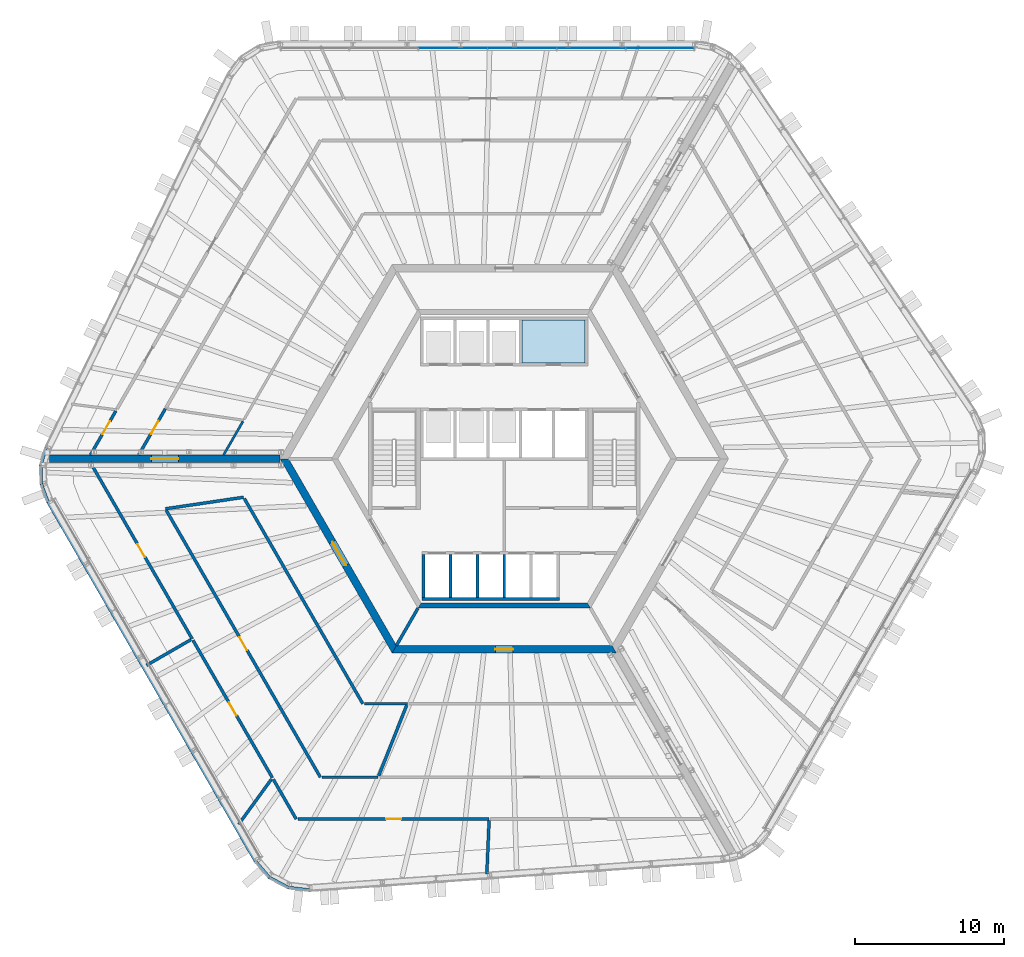
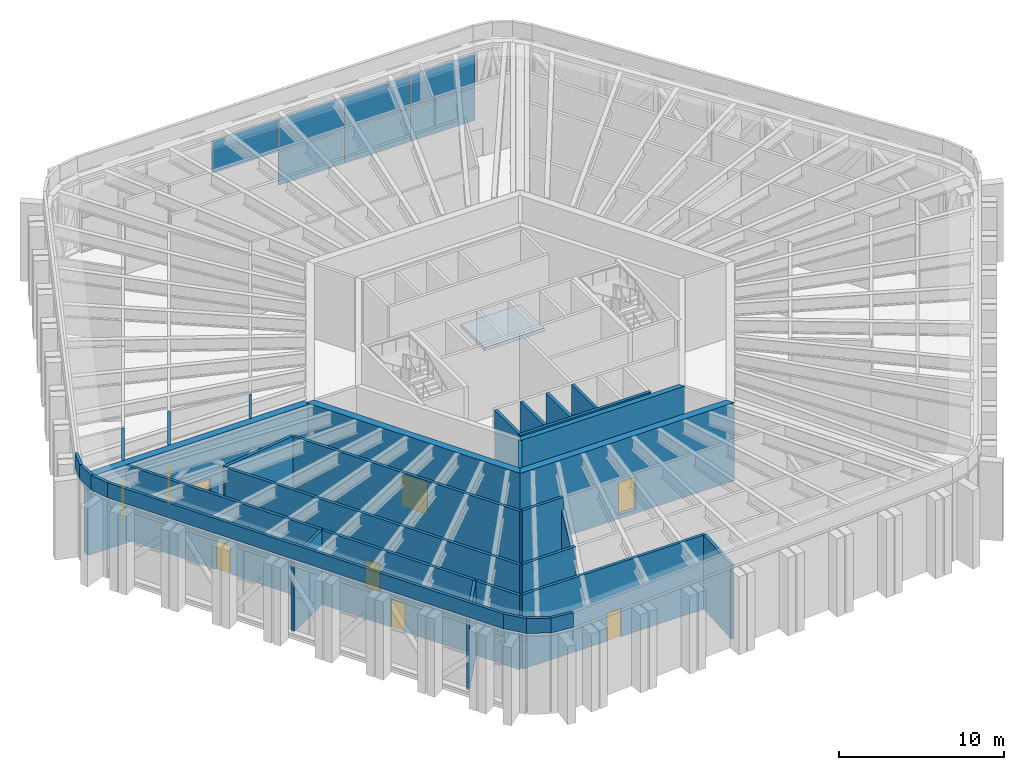
# One storey, part 11 of 24: 33 walls, 9 doors, 7 plates, 1 slab, 9 openings, 1 element without a shape of its own.
"""IFC4 building model written with IfcOpenShell, lengths in metres."""

from ifc_helpers import new_model, si_unit, direction, frame, frame_2d, origin, origin_2d, place, context, subcontext, project, spatial, polyline, rectangle, outline, extrude, material, layer, layer_set, type_object, element, fill, aggregate, save


model = new_model("IFC4")

# Units and contexts
model_context = context("Model", 3, precision=1e-05, world=origin(), true_north=direction((0.0, 1.0)))
body_context = subcontext(model_context, "Body", "Model", "MODEL_VIEW")
ifc_project = project(units=[si_unit("LENGTHUNIT", "METRE"), si_unit("AREAUNIT", "SQUARE_METRE"), si_unit("VOLUMEUNIT", "CUBIC_METRE"), si_unit("PLANEANGLEUNIT", "RADIAN"), si_unit("MASSUNIT", "GRAM", prefix="KILO")], contexts=[model_context])

# Site, building, storey
site_placement = place(None, origin())
site = spatial("IfcSite", under=ifc_project, at=site_placement, CompositionType="ELEMENT")
building_placement = place(site_placement, origin())
building = spatial("IfcBuilding", under=site, at=building_placement, Name="Tarnside Tower", CompositionType="ELEMENT")
storey_placement = place(building_placement, frame((0.0, 0.0, 250.199951171875)))
storey = spatial("IfcBuildingStorey", under=building, at=storey_placement, Name="L60", CompositionType="ELEMENT", Elevation=250.199951171875)

# Slab
ifc_material_1 = material(Name="Concrete C40/50", Category="concrete")
ifc_layer_1 = layer(ifc_material_1, 0.25)
ifc_layer_set_1 = layer_set([ifc_layer_1], Name="Core slab C40/50")
slab_type = type_object("IfcSlabType", Name="Core slab C40/50", PredefinedType="FLOOR", material=ifc_layer_set_1)
slab_placement = place(storey_placement, frame((0.0, 0.0, -0.25)))
element("IfcSlab", 1, at=slab_placement, inside=storey, type_object=slab_type, Name="L60 core floor slab 8", PredefinedType="FLOOR", context=body_context, shape_type="SweptSolid", body=[
    extrude(outline(polyline([(5.39990234375, 9.300048828125), (5.39990234375, 6.39990234375), (1.199951171875, 6.39990234375), (1.199951171875, 9.300048828125), (5.39990234375, 9.300048828125)])), origin(), (0.0, 0.0, 1.0), 0.25),
])

# Curtain wall, plates
ifc_material_2 = material(Name="Sky lobby glazing wall", Category="glass")
curtain_wall_type = type_object("IfcCurtainWallType", Name="Sky lobby glazing wall", PredefinedType="NOTDEFINED", material=ifc_material_2)
curtain_wall_placement = place(storey_placement, origin())
curtain_wall = element("IfcCurtainWall", 2, at=curtain_wall_placement, inside=storey, type_object=curtain_wall_type, Name="Sky lobby glazing L60 F1", PredefinedType="NOTDEFINED")
ifc_material_3 = material(Name="Low-iron safety glass", Category="glass")
ifc_layer_2 = layer(ifc_material_3, 0.035888671875)
ifc_layer_set_2 = layer_set([ifc_layer_2], Name="Sky lobby glazing panel 36")
plate_type = type_object("IfcPlateType", Name="Sky lobby glazing panel 36", PredefinedType="CURTAIN_PANEL", material=ifc_layer_set_2)
plate_1_placement = place(storey_placement, frame((10.432861328125, 27.49658203125, 0.06005859375), z_axis=(0.0, 0.0, 1.0), x_axis=(-1.0, 0.0, 0.0)))
plate_1 = element("IfcPlate", 3, at=plate_1_placement, type_object=plate_type, Name="CW4 panel 1.1", PredefinedType="CURTAIN_PANEL", context=body_context, shape_type="SweptSolid", body=[
    extrude(rectangle(XDim=4.536376953125, YDim=0.035888671875, at=origin_2d()), origin(), (0.0, 0.0, 1.0), 2.450439453125),
])
plate_2_placement = place(storey_placement, frame((10.432861328125, 27.49658203125, 2.57080078125), z_axis=(0.0, 0.0, 1.0), x_axis=(-1.0, 0.0, 0.0)))
plate_2 = element("IfcPlate", 4, at=plate_2_placement, type_object=plate_type, Name="CW4 panel 1.2", PredefinedType="CURTAIN_PANEL", context=body_context, shape_type="SweptSolid", body=[
    extrude(rectangle(XDim=4.536376953125, YDim=0.035888671875, at=origin_2d()), origin(), (0.0, 0.0, 1.0), 2.450439453125),
])
plate_3_placement = place(storey_placement, frame((5.821533203125, 27.49658203125, 0.06005859375), z_axis=(0.0, 0.0, 1.0), x_axis=(-1.0, 0.0, 0.0)))
plate_3 = element("IfcPlate", 5, at=plate_3_placement, type_object=plate_type, Name="CW4 panel 2.1", PredefinedType="CURTAIN_PANEL", context=body_context, shape_type="SweptSolid", body=[
    extrude(rectangle(XDim=4.56640625, YDim=0.035888671875, at=origin_2d()), origin(), (0.0, 0.0, 1.0), 2.450439453125),
])
plate_4_placement = place(storey_placement, frame((5.821533203125, 27.49658203125, 2.57080078125), z_axis=(0.0, 0.0, 1.0), x_axis=(-1.0, 0.0, 0.0)))
plate_4 = element("IfcPlate", 6, at=plate_4_placement, type_object=plate_type, Name="CW4 panel 2.2", PredefinedType="CURTAIN_PANEL", context=body_context, shape_type="SweptSolid", body=[
    extrude(rectangle(XDim=4.56640625, YDim=0.035888671875, at=origin_2d()), origin(), (0.0, 0.0, 1.0), 2.450439453125),
])
plate_5_placement = place(storey_placement, frame((1.1953125, 27.49658203125, 0.06005859375), z_axis=(0.0, 0.0, 1.0), x_axis=(-1.0, 0.0, 0.0)))
plate_5 = element("IfcPlate", 7, at=plate_5_placement, type_object=plate_type, Name="CW4 panel 3.1", PredefinedType="CURTAIN_PANEL", context=body_context, shape_type="SweptSolid", body=[
    extrude(rectangle(XDim=4.56640625, YDim=0.035888671875, at=origin_2d()), origin(), (0.0, 0.0, 1.0), 2.450439453125),
])
plate_6_placement = place(storey_placement, frame((1.1953125, 27.49658203125, 2.57080078125), z_axis=(0.0, 0.0, 1.0), x_axis=(-1.0, 0.0, 0.0)))
plate_6 = element("IfcPlate", 8, at=plate_6_placement, type_object=plate_type, Name="CW4 panel 3.2", PredefinedType="CURTAIN_PANEL", context=body_context, shape_type="SweptSolid", body=[
    extrude(rectangle(XDim=4.56640625, YDim=0.035888671875, at=origin_2d()), origin(), (0.0, 0.0, 1.0), 2.450439453125),
])
plate_7_placement = place(storey_placement, frame((-3.43115234375, 27.49658203125, 2.57080078125), z_axis=(0.0, 0.0, 1.0), x_axis=(-1.0, 0.0, 0.0)))
plate_7 = element("IfcPlate", 9, at=plate_7_placement, type_object=plate_type, Name="CW4 panel 4.2", PredefinedType="CURTAIN_PANEL", context=body_context, shape_type="SweptSolid", body=[
    extrude(rectangle(XDim=4.56640625, YDim=0.035888671875, at=origin_2d()), origin(), (0.0, 0.0, 1.0), 2.450439453125),
])
aggregate(curtain_wall, [plate_1, plate_2, plate_3, plate_4, plate_5, plate_6, plate_7])

# Wall
ifc_material_4 = material(Name="Concrete C50/60", Category="concrete")
ifc_layer_3 = layer(ifc_material_4, 0.35009765625)
ifc_layer_set_3 = layer_set([ifc_layer_3], Name="Core block wall 350 C50/60")
wall_type_1 = type_object("IfcWallType", Name="Core block wall 350 C50/60", PredefinedType="SHEAR", material=ifc_layer_set_3)
wall_1_placement = place(storey_placement, frame((-5.672607421875, -9.824951171875, -0.300048828125), z_axis=(0.0, 0.0, 1.0), x_axis=(1.0, 0.0, 0.0)))
element("IfcWall", 10, at=wall_1_placement, inside=storey, type_object=wall_type_1, Name="L60 core block wall face 4", PredefinedType="SHEAR", context=body_context, shape_type="SweptSolid", body=[
    extrude(outline(polyline([(-0.10107421875, -0.175048828125), (11.4462890625, -0.175048828125), (11.244140625, 0.175048828125), (0.10107421875, 0.175048828125), (-0.10107421875, -0.175048828125)])), origin(), (0.0, 0.0, 1.0), 5.800048828125),
])

# Wall, opening, door
ifc_material_5 = material(Name="Concrete C70/85", Category="concrete")
ifc_layer_4 = layer(ifc_material_5, 0.5)
ifc_layer_set_4 = layer_set([ifc_layer_4], Name="Core wall Z2 500 C70/85")
wall_type_2 = type_object("IfcWallType", Name="Core wall Z2 500 C70/85", PredefinedType="SHEAR", material=ifc_layer_set_4)
wall_2_placement = place(storey_placement, frame((-14.722412109375, 0.0, -0.300048828125), z_axis=(0.0, 0.0, 1.0), x_axis=(0.50000571537, -0.866022103989, 0.0)))
wall_2 = element("IfcWall", 11, at=wall_2_placement, inside=storey, type_object=wall_type_2, Name="L60 core wall face 3", PredefinedType="SHEAR", context=body_context, shape_type="SweptSolid", body=[
    extrude(outline(polyline([(-0.144287109375, -0.25), (14.86669921875, -0.25), (14.578125, 0.25), (0.144287109375, 0.25), (-0.144287109375, -0.25)])), origin(), (0.0, 0.0, 1.0), 5.800048828125),
])
opening_1_placement = place(wall_2_placement, frame((6.432373046875, 0.0, 0.300048828125)))
opening_1 = element("IfcOpeningElement", 12, at=opening_1_placement, cuts=wall_2, Name="Opening CD-FFL", PredefinedType="OPENING", context=body_context, shape_type="SweptSolid", body=[
    extrude(rectangle(XDim=1.800048828125, YDim=2.39990234375, at=frame_2d((0.89990234375, 1.199951171875))), frame((0.0, 0.260009765625, 0.0), z_axis=(0.0, -1.0, 0.0), x_axis=(1.0, 0.0, 0.0)), (0.0, 0.0, 1.0), 0.52001953125),
])
ifc_material_6 = material(Name="Steel fire door", Category="steel")
door_type_1 = type_object("IfcDoorType", Name="Firefighting lobby double door FD60S 1800x2400", OperationType="NOTDEFINED", PredefinedType="DOOR", material=ifc_material_6)
door_1_placement = place(opening_1_placement, origin())
door_1 = element("IfcDoor", 13, at=door_1_placement, inside=storey, type_object=door_type_1, Name="L60 core door P3", OperationType="DOUBLE_DOOR_SINGLE_SWING", OverallHeight=2.39990234375, OverallWidth=1.800048828125, PredefinedType="DOOR", context=body_context, shape_type="SweptSolid", body=[
    extrude(rectangle(XDim=1.800048828125, YDim=2.39990234375, at=frame_2d((0.89990234375, 1.199951171875))), frame((0.0, 0.02490234375, 0.0), z_axis=(0.0, -1.0, 0.0), x_axis=(1.0, 0.0, 0.0)), (0.0, 0.0, 1.0), 0.050048828125),
])
fill(opening_1, door_1)

wall_3_placement = place(storey_placement, frame((-7.361083984375, -12.75, -0.300048828125), z_axis=(0.0, 0.0, 1.0), x_axis=(1.0, 0.0, 0.0)))
wall_3 = element("IfcWall", 14, at=wall_3_placement, inside=storey, type_object=wall_type_2, Name="L60 core wall face 4", PredefinedType="SHEAR", context=body_context, shape_type="SweptSolid", body=[
    extrude(outline(polyline([(-0.144287109375, -0.25), (14.866455078125, -0.25), (14.577880859375, 0.25), (0.144287109375, 0.25), (-0.144287109375, -0.25)])), origin(), (0.0, 0.0, 1.0), 5.800048828125),
])
opening_2_placement = place(wall_3_placement, frame((6.76123046875, 0.0, 0.300048828125)))
opening_2 = element("IfcOpeningElement", 15, at=opening_2_placement, cuts=wall_3, Name="Opening CD-RSR", PredefinedType="OPENING", context=body_context, shape_type="SweptSolid", body=[
    extrude(rectangle(XDim=1.199951171875, YDim=2.39990234375, at=frame_2d((0.60009765625, 1.199951171875))), frame((0.0, 0.260009765625, 0.0), z_axis=(0.0, -1.0, 0.0), x_axis=(1.0, 0.0, 0.0)), (0.0, 0.0, 1.0), 0.52001953125),
])
door_type_2 = type_object("IfcDoorType", Name="Riser door FD60 1200x2400", OperationType="NOTDEFINED", PredefinedType="DOOR", material=ifc_material_6)
door_2_placement = place(opening_2_placement, origin())
door_2 = element("IfcDoor", 16, at=door_2_placement, inside=storey, type_object=door_type_2, Name="L60 core door S6", OperationType="SINGLE_SWING_LEFT", OverallHeight=2.39990234375, OverallWidth=1.199951171875, PredefinedType="DOOR", context=body_context, shape_type="SweptSolid", body=[
    extrude(rectangle(XDim=1.199951171875, YDim=2.39990234375, at=frame_2d((0.60009765625, 1.199951171875))), frame((0.0, 0.02490234375, 0.0), z_axis=(0.0, -1.0, 0.0), x_axis=(1.0, 0.0, 0.0)), (0.0, 0.0, 1.0), 0.050048828125),
])
fill(opening_2, door_2)

wall_4_placement = place(storey_placement, frame((-15.010986328125, 0.0, -0.300048828125), z_axis=(0.0, 0.0, 1.0), x_axis=(-1.0, 0.0, 0.0)))
wall_4 = element("IfcWall", 17, at=wall_4_placement, inside=storey, type_object=wall_type_2, Name="L60 spine wall 2", PredefinedType="SHEAR", context=body_context, shape_type="SweptSolid", body=[
    extrude(rectangle(XDim=15.423828125, YDim=0.5, at=frame_2d((7.7119140625, 0.0))), origin(), (0.0, 0.0, 1.0), 5.800048828125),
])
opening_3_placement = place(wall_4_placement, frame((6.811767578125, 0.0, 0.300048828125)))
opening_3 = element("IfcOpeningElement", 18, at=opening_3_placement, cuts=wall_4, Name="Opening CD-SPN", PredefinedType="OPENING", context=body_context, shape_type="SweptSolid", body=[
    extrude(rectangle(XDim=1.800048828125, YDim=2.39990234375, at=frame_2d((0.89990234375, 1.199951171875))), frame((0.0, 0.260009765625, 0.0), z_axis=(0.0, -1.0, 0.0), x_axis=(1.0, 0.0, 0.0)), (0.0, 0.0, 1.0), 0.52001953125),
])
door_type_3 = type_object("IfcDoorType", Name="Spine passage double door FD60 1800x2400", OperationType="NOTDEFINED", PredefinedType="DOOR", material=ifc_material_6)
door_3_placement = place(opening_3_placement, origin())
door_3 = element("IfcDoor", 19, at=door_3_placement, inside=storey, type_object=door_type_3, Name="L60 spine passage door 2", OperationType="DOUBLE_DOOR_SINGLE_SWING", OverallHeight=2.39990234375, OverallWidth=1.800048828125, PredefinedType="DOOR", context=body_context, shape_type="SweptSolid", body=[
    extrude(rectangle(XDim=1.800048828125, YDim=2.39990234375, at=frame_2d((0.89990234375, 1.199951171875))), frame((0.0, 0.02490234375, 0.0), z_axis=(0.0, -1.0, 0.0), x_axis=(1.0, 0.0, 0.0)), (0.0, 0.0, 1.0), 0.050048828125),
])
fill(opening_3, door_3)

# Walls
ifc_layer_5 = layer(ifc_material_1, 0.199951171875)
ifc_layer_set_5 = layer_set([ifc_layer_5], Name="Lift shaft wall 200 C40/50")
wall_type_3 = type_object("IfcWallType", Name="Lift shaft wall 200 C40/50", PredefinedType="SHEAR", material=ifc_layer_set_5)
wall_5_placement = place(storey_placement, frame((-5.5, -9.39990234375, -0.25), z_axis=(0.0, 0.0, 1.0), x_axis=(1.0, 0.0, 0.0)))
element("IfcWall", 20, at=wall_5_placement, inside=storey, type_object=wall_type_3, Name="L60 lift shaft back wall R4", PredefinedType="SHEAR", context=body_context, shape_type="SweptSolid", body=[
    extrude(rectangle(XDim=9.199951171875, YDim=0.199951171875, at=frame_2d((4.60009765625, 0.0))), origin(), (0.0, 0.0, 1.0), 5.75),
])
for number, where, z_axis, x_axis, name in (
    (21, (-5.39990234375, -9.300048828125, -0.25), (0.0, 0.0, 1.0), (0.0, 1.0, 0.0), "L60 lift shaft partition R41"),
    (22, (-3.60009765625, -9.300048828125, -0.25), (0.0, 0.0, 1.0), (0.0, 1.0, 0.0), "L60 lift shaft partition R42"),
    (23, (-1.800048828125, -9.300048828125, -0.25), (0.0, 0.0, 1.0), (0.0, 1.0, 0.0), "L60 lift shaft partition R43"),
    (24, (0.0, -9.300048828125, -0.25), (0.0, 0.0, 1.0), (0.0, 1.0, 0.0), "L60 lift shaft partition R44"),
):
    element("IfcWall", number, at=place(storey_placement, frame(where, z_axis=z_axis, x_axis=x_axis)), inside=storey, type_object=wall_type_3, Name=name, PredefinedType="SHEAR", context=body_context, shape_type="SweptSolid", body=[
        extrude(rectangle(XDim=2.900146484375, YDim=0.199951171875, at=frame_2d((1.4501953125, 0.0))), origin(), (0.0, 0.0, 1.0), 5.75),
    ])
wall_6_placement = place(storey_placement, frame((-5.7734375, -10.0, -0.300048828125), z_axis=(0.0, 0.0, 1.0), x_axis=(-0.499995765644, -0.866027848477, 0.0)))
element("IfcWall", 25, at=wall_6_placement, inside=storey, type_object=wall_type_3, Name="L60 core partition AR240", PredefinedType="SHEAR", context=body_context, shape_type="SweptSolid", body=[
    extrude(rectangle(XDim=2.88671875, YDim=0.199951171875, at=frame_2d((1.443359375, 0.0))), origin(), (0.0, 0.0, 1.0), 5.800048828125),
])
ifc_material_7 = material(Name="Concrete C35/45 precast", Category="concrete")
ifc_layer_6 = layer(ifc_material_7, 0.199951171875)
ifc_layer_set_6 = layer_set([ifc_layer_6], Name="Parapet 200 x 1100")
wall_type_4 = type_object("IfcWallType", Name="Parapet 200 x 1100", PredefinedType="PARAPET", material=ifc_layer_set_6)
wall_7_placement = place(storey_placement, frame((-13.0048828125, -28.87744140625, 5.699951171875), z_axis=(0.0, 0.0, 1.0), x_axis=(-0.993251202983, 0.115982963286, 0.0)))
element("IfcWall", 26, at=wall_7_placement, inside=storey, type_object=wall_type_4, Name="Roof parapet 13", PredefinedType="PARAPET", context=body_context, shape_type="SweptSolid", body=[
    extrude(outline(polyline([(0.00927734375, -0.10009765625), (1.43359375, -0.10009765625), (1.47119140625, 0.10009765625), (-0.00927734375, 0.10009765625), (0.00927734375, -0.10009765625)])), origin(), (0.0, 0.0, 1.0), 1.10009765625),
])
wall_8_placement = place(storey_placement, frame((-14.447509765625, -28.708984375, 5.699951171875), z_axis=(0.0, 0.0, 1.0), x_axis=(-0.882946998442, 0.46947268072, 0.0)))
element("IfcWall", 27, at=wall_8_placement, inside=storey, type_object=wall_type_4, Name="Roof parapet 14", PredefinedType="PARAPET", context=body_context, shape_type="SweptSolid", body=[
    extrude(outline(polyline([(0.018798828125, -0.10009765625), (1.42431640625, -0.10009765625), (1.4619140625, 0.10009765625), (-0.018798828125, 0.10009765625), (0.018798828125, -0.10009765625)])), origin(), (0.0, 0.0, 1.0), 1.10009765625),
])
wall_9_placement = place(storey_placement, frame((-15.7216796875, -28.031494140625, 5.699951171875), z_axis=(0.0, 0.0, 1.0), x_axis=(-0.651732002744, 0.75844933687, 0.0)))
element("IfcWall", 28, at=wall_9_placement, inside=storey, type_object=wall_type_4, Name="Roof parapet 15", PredefinedType="PARAPET", context=body_context, shape_type="SweptSolid", body=[
    extrude(outline(polyline([(0.018798828125, -0.10009765625), (1.443359375, -0.10009765625), (1.4619140625, 0.10009765625), (-0.018798828125, 0.10009765625), (0.018798828125, -0.10009765625)])), origin(), (0.0, 0.0, 1.0), 1.10009765625),
])
wall_10_placement = place(storey_placement, frame((-16.66845703125, -26.9296875, 5.699951171875), z_axis=(0.0, 0.0, 1.0), x_axis=(-0.499997219864, 0.866027008891, 0.0)))
element("IfcWall", 29, at=wall_10_placement, inside=storey, type_object=wall_type_4, Name="Roof parapet 16", PredefinedType="PARAPET", context=body_context, shape_type="SweptSolid", body=[
    extrude(outline(polyline([(0.00927734375, -0.10009765625), (27.732421875, -0.10009765625), (27.74853515625, 0.10009765625), (-0.00927734375, 0.10009765625), (0.00927734375, -0.10009765625)])), origin(), (0.0, 0.0, 1.0), 1.10009765625),
])
wall_11_placement = place(storey_placement, frame((-30.53857421875, -2.90576171875, 5.699951171875), z_axis=(0.0, 0.0, 1.0), x_axis=(-0.352930531417, 0.935649528399, 0.0)))
element("IfcWall", 30, at=wall_11_placement, inside=storey, type_object=wall_type_4, Name="Roof parapet 17", PredefinedType="PARAPET", context=body_context, shape_type="SweptSolid", body=[
    extrude(outline(polyline([(0.008056640625, -0.10009765625), (1.25634765625, -0.10009765625), (1.2890625, 0.10009765625), (-0.008056640625, 0.10009765625), (0.008056640625, -0.10009765625)])), origin(), (0.0, 0.0, 1.0), 1.10009765625),
])
wall_12_placement = place(storey_placement, frame((-30.98779296875, -1.71484375, 5.699951171875), z_axis=(0.0, 0.0, 1.0), x_axis=(-0.034940984606, 0.999389377367, 0.0)))
element("IfcWall", 31, at=wall_12_placement, inside=storey, type_object=wall_type_4, Name="Roof parapet 18", PredefinedType="PARAPET", context=body_context, shape_type="SweptSolid", body=[
    extrude(outline(polyline([(0.016357421875, -0.10009765625), (1.248291015625, -0.10009765625), (1.281005859375, 0.10009765625), (-0.016357421875, 0.10009765625), (0.016357421875, -0.10009765625)])), origin(), (0.0, 0.0, 1.0), 1.10009765625),
])
wall_13_placement = place(storey_placement, frame((-31.031982421875, -0.450927734375, 5.699951171875), z_axis=(0.0, 0.0, 1.0), x_axis=(0.286960705178, 0.95794235405, 0.0)))
element("IfcWall", 32, at=wall_13_placement, inside=storey, type_object=wall_type_4, Name="Roof parapet 19", PredefinedType="PARAPET", context=body_context, shape_type="SweptSolid", body=[
    extrude(outline(polyline([(0.016357421875, -0.10009765625), (1.2646484375, -0.10009765625), (1.28076171875, 0.10009765625), (-0.016357421875, 0.10009765625), (0.016357421875, -0.10009765625)])), origin(), (0.0, 0.0, 1.0), 1.10009765625),
])
ifc_material_8 = material(Name="Gypsum board")
ifc_layer_7 = layer(ifc_material_8, 0.14990234375)
ifc_layer_set_7 = layer_set([ifc_layer_7], Name="Partition 150 gypsum board on metal stud")
wall_type_5 = type_object("IfcWallType", Name="Partition 150 gypsum board on metal stud", PredefinedType="PARTITIONING", material=ifc_layer_set_7)
wall_14_placement = place(storey_placement, frame((-17.4892578125, 2.507080078125, 0.0), z_axis=(0.0, 0.0, 1.0), x_axis=(-0.500168359116, -0.865928179781, 0.0)))
element("IfcWall", 33, at=wall_14_placement, inside=storey, type_object=wall_type_5, Name="Partition 015", PredefinedType="PARTITIONING", context=body_context, shape_type="SweptSolid", body=[
    extrude(rectangle(XDim=2.6064453125, YDim=0.14990234375, at=frame_2d((1.30322265625, 0.0))), origin(), (0.0, 0.0, 1.0), 5.5),
])

# Wall, opening, door
ifc_material_9 = material(Name="Concrete C32/40", Category="concrete")
ifc_layer_8 = layer(ifc_material_9, 0.199951171875)
ifc_layer_set_8 = layer_set([ifc_layer_8], Name="Wall 200 reinforced Concrete C32/40")
wall_type_6 = type_object("IfcWallType", Name="Wall 200 reinforced Concrete C32/40", PredefinedType="PARTITIONING", material=ifc_layer_set_8)
wall_15_placement = place(storey_placement, frame((-20.888916015625, -12.06005859375, 0.0), z_axis=(0.0, 0.0, 1.0), x_axis=(-0.49997661062, 0.866038907228, 0.0)))
wall_15 = element("IfcWall", 34, at=wall_15_placement, inside=storey, type_object=wall_type_6, Name="Partition 001", PredefinedType="PARTITIONING", context=body_context, shape_type="SweptSolid", body=[
    extrude(rectangle(XDim=13.636962890625, YDim=0.199951171875, at=frame_2d((6.818359375, 0.0))), origin(), (0.0, 0.0, 1.0), 5.5),
])
opening_4_placement = place(wall_15_placement, frame((6.318359375, 0.0, 0.0)))
opening_4 = element("IfcOpeningElement", 35, at=opening_4_placement, cuts=wall_15, Name="Opening D1000F60", PredefinedType="OPENING", context=body_context, shape_type="SweptSolid", body=[
    extrude(rectangle(XDim=1.0, YDim=2.10009765625, at=frame_2d((0.5, 1.050048828125))), frame((0.0, 0.10986328125, 0.0), z_axis=(0.0, -1.0, 0.0), x_axis=(1.0, 0.0, 0.0)), (0.0, 0.0, 1.0), 0.219970703125),
])
ifc_material_10 = material(Name="Timber door leaf", Category="wood")
door_type_4 = type_object("IfcDoorType", Name="Door 1000 x 2100 single leaf FD60 fire door", OperationType="NOTDEFINED", PredefinedType="DOOR", material=ifc_material_10)
door_4_placement = place(opening_4_placement, origin())
door_4 = element("IfcDoor", 36, at=door_4_placement, inside=storey, type_object=door_type_4, Name="Door L60-01", OperationType="SINGLE_SWING_RIGHT", OverallHeight=2.10009765625, OverallWidth=1.0, PredefinedType="DOOR", context=body_context, shape_type="SweptSolid", body=[
    extrude(rectangle(XDim=1.0, YDim=2.10009765625, at=frame_2d((0.5, 1.050048828125))), frame((0.0, 0.02490234375, 0.0), z_axis=(0.0, -1.0, 0.0), x_axis=(1.0, 0.0, 0.0)), (0.0, 0.0, 1.0), 0.050048828125),
])
fill(opening_4, door_4)

wall_16_placement = place(storey_placement, frame((-27.70703125, 0.25, 0.0), z_axis=(0.0, 0.0, 1.0), x_axis=(0.50003588027, 0.86600468731, 0.0)))
wall_16 = element("IfcWall", 37, at=wall_16_placement, inside=storey, type_object=wall_type_6, Name="Partition 002", PredefinedType="PARTITIONING", context=body_context, shape_type="SweptSolid", body=[
    extrude(rectangle(XDim=3.416259765625, YDim=0.199951171875, at=frame_2d((1.7080078125, 0.0))), origin(), (0.0, 0.0, 1.0), 5.5),
])
opening_5_placement = place(wall_16_placement, frame((1.608154296875, 0.0, 0.0)))
opening_5 = element("IfcOpeningElement", 38, at=opening_5_placement, cuts=wall_16, Name="Opening D1000", PredefinedType="OPENING", context=body_context, shape_type="SweptSolid", body=[
    extrude(rectangle(XDim=1.0, YDim=2.10009765625, at=frame_2d((0.5, 1.050048828125))), frame((0.0, 0.10986328125, 0.0), z_axis=(0.0, -1.0, 0.0), x_axis=(1.0, 0.0, 0.0)), (0.0, 0.0, 1.0), 0.219970703125),
])
door_type_5 = type_object("IfcDoorType", Name="Door 1000 x 2100 single leaf", OperationType="NOTDEFINED", PredefinedType="DOOR", material=ifc_material_10)
door_5_placement = place(opening_5_placement, origin())
door_5 = element("IfcDoor", 39, at=door_5_placement, inside=storey, type_object=door_type_5, Name="Door L60-02", OperationType="SINGLE_SWING_LEFT", OverallHeight=2.10009765625, OverallWidth=1.0, PredefinedType="DOOR", context=body_context, shape_type="SweptSolid", body=[
    extrude(rectangle(XDim=1.0, YDim=2.10009765625, at=frame_2d((0.5, 1.050048828125))), frame((0.0, 0.02490234375, 0.0), z_axis=(0.0, -1.0, 0.0), x_axis=(1.0, 0.0, 0.0)), (0.0, 0.0, 1.0), 0.050048828125),
])
fill(opening_5, door_5)

wall_17_placement = place(storey_placement, frame((-22.68408203125, 3.35009765625, 0.0), z_axis=(0.0, 0.0, 1.0), x_axis=(-0.500041240653, -0.866001592173, 0.0)))
wall_17 = element("IfcWall", 40, at=wall_17_placement, inside=storey, type_object=wall_type_6, Name="Partition 004", PredefinedType="PARTITIONING", context=body_context, shape_type="SweptSolid", body=[
    extrude(rectangle(XDim=3.579833984375, YDim=0.199951171875, at=frame_2d((1.7900390625, 0.0))), origin(), (0.0, 0.0, 1.0), 5.5),
])
opening_6_placement = place(wall_17_placement, frame((0.93994140625, 0.0, 0.0)))
opening_6 = element("IfcOpeningElement", 41, at=opening_6_placement, cuts=wall_17, Name="Opening D1000F30", PredefinedType="OPENING", context=body_context, shape_type="SweptSolid", body=[
    extrude(rectangle(XDim=1.0, YDim=2.10009765625, at=frame_2d((0.5, 1.050048828125))), frame((0.0, 0.10986328125, 0.0), z_axis=(0.0, -1.0, 0.0), x_axis=(1.0, 0.0, 0.0)), (0.0, 0.0, 1.0), 0.219970703125),
])
door_type_6 = type_object("IfcDoorType", Name="Door 1000 x 2100 single leaf FD30S fire door", OperationType="NOTDEFINED", PredefinedType="DOOR", material=ifc_material_10)
door_6_placement = place(opening_6_placement, origin())
door_6 = element("IfcDoor", 42, at=door_6_placement, inside=storey, type_object=door_type_6, Name="Door L60-03", OperationType="SINGLE_SWING_RIGHT", OverallHeight=2.10009765625, OverallWidth=1.0, PredefinedType="DOOR", context=body_context, shape_type="SweptSolid", body=[
    extrude(rectangle(XDim=1.0, YDim=2.10009765625, at=frame_2d((0.5, 1.050048828125))), frame((0.0, 0.02490234375, 0.0), z_axis=(0.0, -1.0, 0.0), x_axis=(1.0, 0.0, 0.0)), (0.0, 0.0, 1.0), 0.050048828125),
])
fill(opening_6, door_6)

# Walls
wall_18_placement = place(storey_placement, frame((-23.9453125, -13.824951171875, 0.0), z_axis=(0.0, 0.0, 1.0), x_axis=(0.865991142412, 0.500059337743, 0.0)))
element("IfcWall", 43, at=wall_18_placement, inside=storey, type_object=wall_type_6, Name="Partition 005", PredefinedType="PARTITIONING", context=body_context, shape_type="SweptSolid", body=[
    extrude(rectangle(XDim=3.42919921875, YDim=0.199951171875, at=frame_2d((1.714599609375, 0.0))), origin(), (0.0, 0.0, 1.0), 5.5),
])
wall_19_placement = place(storey_placement, frame((-22.68408203125, -3.35009765625, 0.0), z_axis=(0.0, 0.0, 1.0), x_axis=(0.989268510668, 0.146108910753, 0.0)))
element("IfcWall", 44, at=wall_19_placement, inside=storey, type_object=wall_type_6, Name="Partition 006", PredefinedType="PARTITIONING", context=body_context, shape_type="SweptSolid", body=[
    extrude(rectangle(XDim=5.2919921875, YDim=0.199951171875, at=frame_2d((2.64599609375, 0.0))), origin(), (0.0, 0.0, 1.0), 5.5),
])

# Wall, opening, door
wall_20_placement = place(storey_placement, frame((-15.51904296875, -21.360107421875, 0.0), z_axis=(0.0, 0.0, 1.0), x_axis=(-0.500040928938, 0.866001772162, 0.0)))
wall_20 = element("IfcWall", 45, at=wall_20_placement, inside=storey, type_object=wall_type_6, Name="Partition 010", PredefinedType="PARTITIONING", context=body_context, shape_type="SweptSolid", body=[
    extrude(rectangle(XDim=10.63916015625, YDim=0.199951171875, at=frame_2d((5.319580078125, 0.0))), origin(), (0.0, 0.0, 1.0), 5.5),
])
opening_7_placement = place(wall_20_placement, frame((4.819580078125, 0.0, 0.0)))
opening_7 = element("IfcOpeningElement", 46, at=opening_7_placement, cuts=wall_20, Name="Opening D1000F60", PredefinedType="OPENING", context=body_context, shape_type="SweptSolid", body=[
    extrude(rectangle(XDim=1.0, YDim=2.10009765625, at=frame_2d((0.5, 1.050048828125))), frame((0.0, 0.10986328125, 0.0), z_axis=(0.0, -1.0, 0.0), x_axis=(1.0, 0.0, 0.0)), (0.0, 0.0, 1.0), 0.219970703125),
])
door_7_placement = place(opening_7_placement, origin())
door_7 = element("IfcDoor", 47, at=door_7_placement, inside=storey, type_object=door_type_4, Name="Door L60-06", OperationType="SINGLE_SWING_LEFT", OverallHeight=2.10009765625, OverallWidth=1.0, PredefinedType="DOOR", context=body_context, shape_type="SweptSolid", body=[
    extrude(rectangle(XDim=1.0, YDim=2.10009765625, at=frame_2d((0.5, 1.050048828125))), frame((0.0, 0.02490234375, 0.0), z_axis=(0.0, -1.0, 0.0), x_axis=(1.0, 0.0, 0.0)), (0.0, 0.0, 1.0), 0.050048828125),
])
fill(opening_7, door_7)

# Walls
wall_21_placement = place(storey_placement, frame((-17.779541015625, -24.470703125, 0.0), z_axis=(0.0, 0.0, 1.0), x_axis=(0.587876353265, 0.808950797807, 0.0)))
element("IfcWall", 48, at=wall_21_placement, inside=storey, type_object=wall_type_6, Name="Partition 012", PredefinedType="PARTITIONING", context=body_context, shape_type="SweptSolid", body=[
    extrude(rectangle(XDim=3.736083984375, YDim=0.199951171875, at=frame_2d((1.8681640625, 0.0))), origin(), (0.0, 0.0, 1.0), 5.5),
])
wall_22_placement = place(storey_placement, frame((-17.395263671875, -2.670166015625, 0.0), z_axis=(0.0, 0.0, 1.0), x_axis=(0.499971736126, -0.866041721325, 0.0)))
element("IfcWall", 49, at=wall_22_placement, inside=storey, type_object=wall_type_6, Name="Partition 014", PredefinedType="PARTITIONING", context=body_context, shape_type="SweptSolid", body=[
    extrude(rectangle(XDim=15.853515625, YDim=0.199951171875, at=frame_2d((7.9267578125, 0.0))), origin(), (0.0, 0.0, 1.0), 5.5),
])
wall_23_placement = place(storey_placement, frame((-15.46435546875, -21.454833984375, 0.0), z_axis=(0.0, 0.0, 1.0), x_axis=(0.49988498741, -0.866091796152, 0.0)))
element("IfcWall", 50, at=wall_23_placement, inside=storey, type_object=wall_type_6, Name="Partition 016", PredefinedType="PARTITIONING", context=body_context, shape_type="SweptSolid", body=[
    extrude(rectangle(XDim=3.077392578125, YDim=0.199951171875, at=frame_2d((1.53857421875, 0.0))), origin(), (0.0, 0.0, 1.0), 5.5),
])

# Wall, opening, door
wall_24_placement = place(storey_placement, frame((-1.010986328125, -24.1201171875, 0.0), z_axis=(0.0, 0.0, 1.0), x_axis=(-1.0, 0.0, 0.0)))
wall_24 = element("IfcWall", 51, at=wall_24_placement, inside=storey, type_object=wall_type_6, Name="Partition 017", PredefinedType="PARTITIONING", context=body_context, shape_type="SweptSolid", body=[
    extrude(rectangle(XDim=12.799560546875, YDim=0.199951171875, at=frame_2d((6.39990234375, 0.0))), origin(), (0.0, 0.0, 1.0), 5.5),
])
opening_8_placement = place(wall_24_placement, frame((5.899658203125, 0.0, 0.0)))
opening_8 = element("IfcOpeningElement", 52, at=opening_8_placement, cuts=wall_24, Name="Opening D1000F60", PredefinedType="OPENING", context=body_context, shape_type="SweptSolid", body=[
    extrude(rectangle(XDim=1.0, YDim=2.10009765625, at=frame_2d((0.5, 1.050048828125))), frame((0.0, 0.10986328125, 0.0), z_axis=(0.0, -1.0, 0.0), x_axis=(1.0, 0.0, 0.0)), (0.0, 0.0, 1.0), 0.219970703125),
])
door_8_placement = place(opening_8_placement, origin())
door_8 = element("IfcDoor", 53, at=door_8_placement, inside=storey, type_object=door_type_4, Name="Door L60-08", OperationType="SINGLE_SWING_LEFT", OverallHeight=2.10009765625, OverallWidth=1.0, PredefinedType="DOOR", context=body_context, shape_type="SweptSolid", body=[
    extrude(rectangle(XDim=1.0, YDim=2.10009765625, at=frame_2d((0.5, 1.050048828125))), frame((0.0, 0.02490234375, 0.0), z_axis=(0.0, -1.0, 0.0), x_axis=(1.0, 0.0, 0.0)), (0.0, 0.0, 1.0), 0.050048828125),
])
fill(opening_8, door_8)

wall_25_placement = place(storey_placement, frame((-22.630126953125, -3.443115234375, 0.0), z_axis=(0.0, 0.0, 1.0), x_axis=(0.49999205116, -0.866029993001, 0.0)))
wall_25 = element("IfcWall", 54, at=wall_25_placement, inside=storey, type_object=wall_type_6, Name="Partition 021", PredefinedType="PARTITIONING", context=body_context, shape_type="SweptSolid", body=[
    extrude(rectangle(XDim=20.642333984375, YDim=0.199951171875, at=frame_2d((10.3212890625, 0.0))), origin(), (0.0, 0.0, 1.0), 5.5),
])
opening_9_placement = place(wall_25_placement, frame((9.8212890625, 0.0, 0.0)))
opening_9 = element("IfcOpeningElement", 55, at=opening_9_placement, cuts=wall_25, Name="Opening D1000F60", PredefinedType="OPENING", context=body_context, shape_type="SweptSolid", body=[
    extrude(rectangle(XDim=1.0, YDim=2.10009765625, at=frame_2d((0.5, 1.050048828125))), frame((0.0, 0.10986328125, 0.0), z_axis=(0.0, -1.0, 0.0), x_axis=(1.0, 0.0, 0.0)), (0.0, 0.0, 1.0), 0.219970703125),
])
door_9_placement = place(opening_9_placement, origin())
door_9 = element("IfcDoor", 56, at=door_9_placement, inside=storey, type_object=door_type_4, Name="Door L60-10", OperationType="SINGLE_SWING_LEFT", OverallHeight=2.10009765625, OverallWidth=1.0, PredefinedType="DOOR", context=body_context, shape_type="SweptSolid", body=[
    extrude(rectangle(XDim=1.0, YDim=2.10009765625, at=frame_2d((0.5, 1.050048828125))), frame((0.0, 0.02490234375, 0.0), z_axis=(0.0, -1.0, 0.0), x_axis=(1.0, 0.0, 0.0)), (0.0, 0.0, 1.0), 0.050048828125),
])
fill(opening_9, door_9)

# Walls
wall_26_placement = place(storey_placement, frame((-9.353515625, -16.39990234375, 0.0), z_axis=(0.0, 0.0, 1.0), x_axis=(1.0, 0.0, 0.0)))
element("IfcWall", 57, at=wall_26_placement, inside=storey, type_object=wall_type_6, Name="Partition 026", PredefinedType="PARTITIONING", context=body_context, shape_type="SweptSolid", body=[
    extrude(rectangle(XDim=2.860595703125, YDim=0.199951171875, at=frame_2d((1.43017578125, 0.0))), origin(), (0.0, 0.0, 1.0), 5.5),
])
wall_27_placement = place(storey_placement, frame((-8.44091796875, -21.320068359375, 0.0), z_axis=(0.0, 0.0, 1.0), x_axis=(-1.0, 0.0, 0.0)))
element("IfcWall", 58, at=wall_27_placement, inside=storey, type_object=wall_type_6, Name="Partition 028", PredefinedType="PARTITIONING", context=body_context, shape_type="SweptSolid", body=[
    extrude(rectangle(XDim=3.752685546875, YDim=0.199951171875, at=frame_2d((1.87646484375, 0.0))), origin(), (0.0, 0.0, 1.0), 5.5),
])
wall_28_placement = place(storey_placement, frame((-8.4013671875, -21.219970703125, 0.0), z_axis=(0.0, 0.0, 1.0), x_axis=(0.368104754475, 0.92978432431, 0.0)))
element("IfcWall", 59, at=wall_28_placement, inside=storey, type_object=wall_type_6, Name="Partition 029", PredefinedType="PARTITIONING", context=body_context, shape_type="SweptSolid", body=[
    extrude(rectangle(XDim=5.076416015625, YDim=0.199951171875, at=frame_2d((2.5380859375, 0.0))), origin(), (0.0, 0.0, 1.0), 4.573486328125),
])
wall_29_placement = place(storey_placement, frame((-1.165283203125, -27.7978515625, 0.0), z_axis=(0.0, 0.0, 1.0), x_axis=(0.041928296331, 0.999120622331, 0.0)))
element("IfcWall", 60, at=wall_29_placement, inside=storey, type_object=wall_type_6, Name="Partition 031", PredefinedType="PARTITIONING", context=body_context, shape_type="SweptSolid", body=[
    extrude(rectangle(XDim=3.5810546875, YDim=0.199951171875, at=frame_2d((1.79052734375, 0.0))), origin(), (0.0, 0.0, 1.0), 5.5),
])

save(model, "model.ifc")
